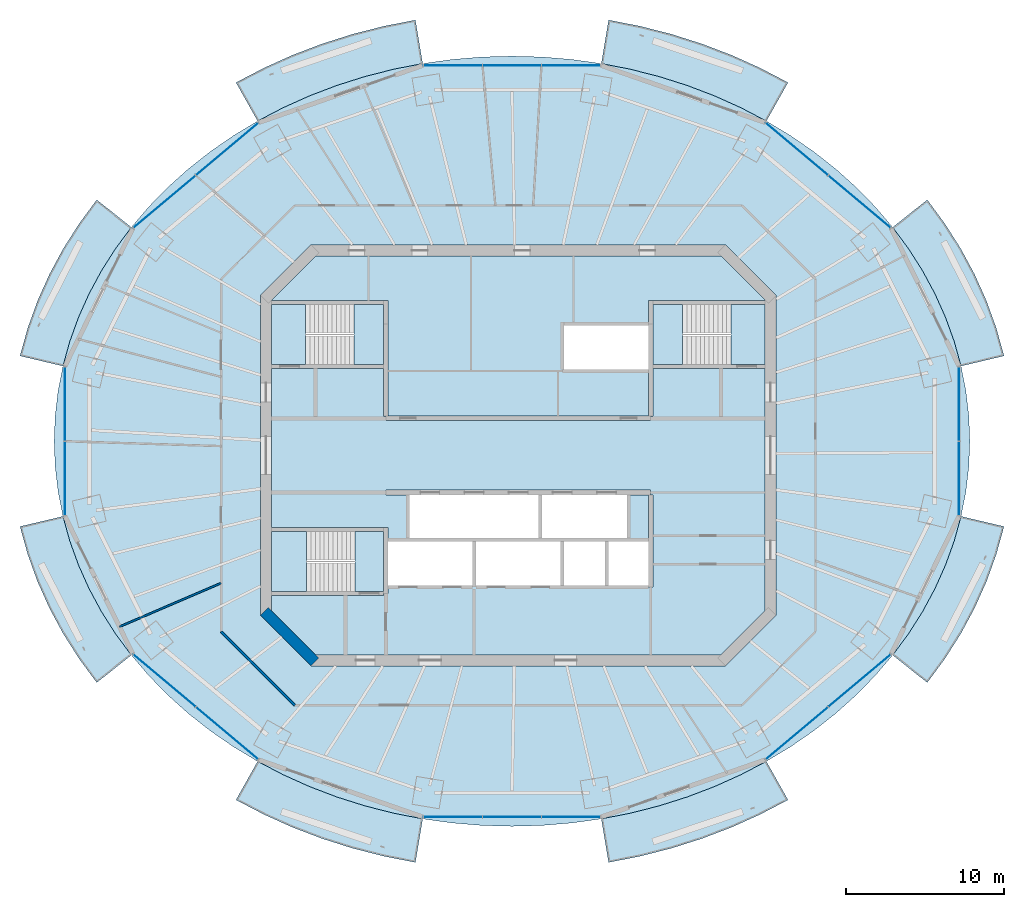
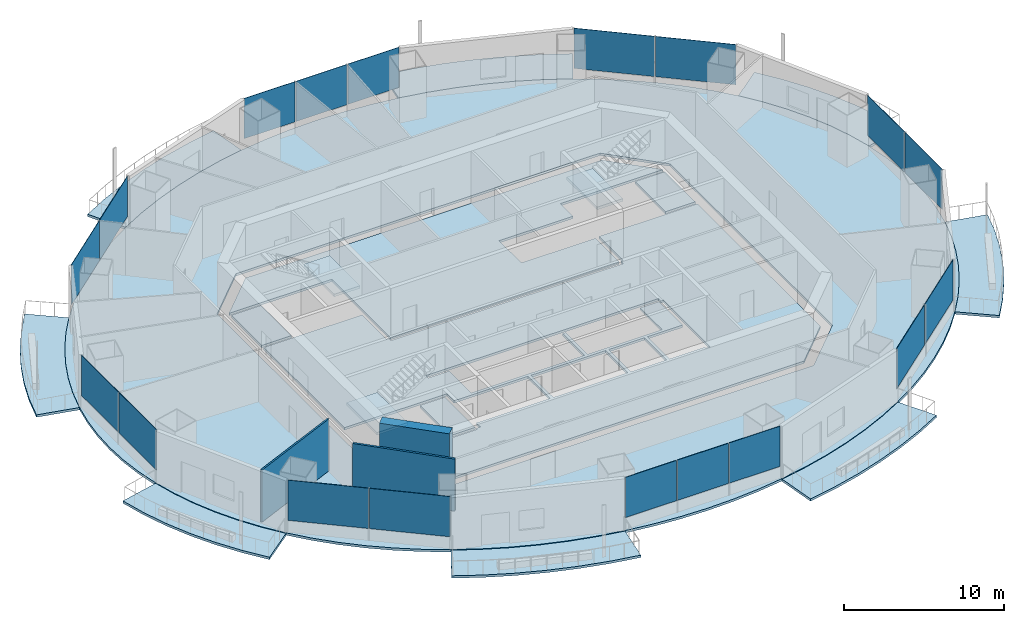
# One storey, part 7 of 16: 18 plates, 17 slabs, 3 walls, 11 elements without a shape of their own.
"""IFC4 building model written with IfcOpenShell, lengths in metres."""

from ifc_helpers import new_model, si_unit, direction, frame, frame_2d, origin, origin_2d, place, context, subcontext, project, spatial, polyline, rectangle, outline, extrude, material, layer, layer_set, type_object, element, aggregate, save


model = new_model("IFC4")

# Units and contexts
model_context = context("Model", 3, precision=1e-05, world=origin(), true_north=direction((0.0, 1.0)))
body_context = subcontext(model_context, "Body", "Model", "MODEL_VIEW")
ifc_project = project(units=[si_unit("LENGTHUNIT", "METRE"), si_unit("AREAUNIT", "SQUARE_METRE"), si_unit("VOLUMEUNIT", "CUBIC_METRE"), si_unit("PLANEANGLEUNIT", "RADIAN"), si_unit("MASSUNIT", "GRAM", prefix="KILO")], contexts=[model_context])

# Site, building, storey
site_placement = place(None, origin())
site = spatial("IfcSite", under=ifc_project, at=site_placement, CompositionType="ELEMENT")
building_placement = place(site_placement, origin())
building = spatial("IfcBuilding", under=site, at=building_placement, Name="Marenthal Gate Tower", CompositionType="ELEMENT")
storey_placement = place(building_placement, frame((0.0, 0.0, 288.64990234375)))
storey = spatial("IfcBuildingStorey", under=building, at=storey_placement, Name="L64", CompositionType="ELEMENT", Elevation=288.64990234375)

# Slabs
ifc_material_1 = material(Name="Concrete 40 MPa", Category="concrete")
ifc_layer_1 = layer(ifc_material_1, 0.179931640625)
ifc_layer_set_1 = layer_set([ifc_layer_1], Name="Balcony deck 180")
slab_type_1 = type_object("IfcSlabType", Name="Balcony deck 180", PredefinedType="USERDEFINED", material=ifc_layer_set_1)
slab_1_placement = place(storey_placement, frame((0.0, 0.0, -0.219970703125)))
element("IfcSlab", 1, at=slab_1_placement, inside=storey, type_object=slab_type_1, Name="Balcony deck L64 bay 1", ObjectType="BALCONY", PredefinedType="USERDEFINED", context=body_context, shape_type="SweptSolid", body=[
    extrude(outline(polyline([(28.080078125, 5.664794921875), (27.648681640625, 7.22119140625), (27.096923828125, 8.75048828125), (26.427490234375, 10.246337890625), (25.643310546875, 11.701904296875), (24.74755859375, 13.111572265625), (23.744140625, 14.46875), (25.9365234375, 16.21044921875), (27.05615234375, 14.696044921875), (28.058837890625, 13.1181640625), (28.939453125, 11.4833984375), (29.693603515625, 9.79833984375), (30.31640625, 8.071044921875), (30.804931640625, 6.30908203125), (28.080078125, 5.664794921875)])), origin(), (0.0, 0.0, 1.0), 0.18017578125),
])
slab_2_placement = place(storey_placement, frame((0.0, 0.0, -0.219970703125)))
element("IfcSlab", 2, at=slab_2_placement, inside=storey, type_object=slab_type_1, Name="Balcony deck L64 bay 3", ObjectType="BALCONY", PredefinedType="USERDEFINED", context=body_context, shape_type="SweptSolid", body=[
    extrude(outline(polyline([(15.732666015625, 21.20703125), (14.118896484375, 22.05078125), (12.443115234375, 22.80419921875), (10.71240234375, 23.4638671875), (8.93408203125, 24.02685546875), (7.115478515625, 24.49072265625), (5.264892578125, 24.853759765625), (5.72705078125, 27.615234375), (7.731201171875, 27.222412109375), (9.70263671875, 26.71923828125), (11.633544921875, 26.108154296875), (13.515869140625, 25.390625), (15.342041015625, 24.569580078125), (17.1044921875, 23.64794921875), (15.732666015625, 21.20703125)])), origin(), (0.0, 0.0, 1.0), 0.18017578125),
])
slab_3_placement = place(storey_placement, frame((0.0, 0.0, -0.219970703125)))
element("IfcSlab", 3, at=slab_3_placement, inside=storey, type_object=slab_type_1, Name="Balcony deck L64 bay 5", ObjectType="BALCONY", PredefinedType="USERDEFINED", context=body_context, shape_type="SweptSolid", body=[
    extrude(outline(polyline([(-6.06494140625, 24.853759765625), (-7.91552734375, 24.49072265625), (-9.73388671875, 24.02685546875), (-11.512451171875, 23.4638671875), (-13.2431640625, 22.80419921875), (-14.9189453125, 22.05078125), (-16.53271484375, 21.20703125), (-17.904296875, 23.64794921875), (-16.14208984375, 24.569580078125), (-14.31591796875, 25.390625), (-12.43359375, 26.108154296875), (-10.502685546875, 26.71923828125), (-8.53125, 27.222412109375), (-6.527099609375, 27.615234375), (-6.06494140625, 24.853759765625)])), origin(), (0.0, 0.0, 1.0), 0.18017578125),
])
slab_4_placement = place(storey_placement, frame((0.0, 0.0, -0.219970703125)))
element("IfcSlab", 4, at=slab_4_placement, inside=storey, type_object=slab_type_1, Name="Balcony deck L64 bay 7", ObjectType="BALCONY", PredefinedType="USERDEFINED", context=body_context, shape_type="SweptSolid", body=[
    extrude(outline(polyline([(-24.544189453125, 14.46875), (-25.547607421875, 13.111572265625), (-26.443359375, 11.701904296875), (-27.2275390625, 10.246337890625), (-27.89697265625, 8.75048828125), (-28.448486328125, 7.22119140625), (-28.8798828125, 5.664794921875), (-31.604736328125, 6.30908203125), (-31.116455078125, 8.071044921875), (-30.493408203125, 9.79833984375), (-29.739501953125, 11.4833984375), (-28.85888671875, 13.1181640625), (-27.85595703125, 14.696044921875), (-26.736572265625, 16.21044921875), (-24.544189453125, 14.46875)])), origin(), (0.0, 0.0, 1.0), 0.18017578125),
])
slab_5_placement = place(storey_placement, frame((0.0, 0.0, -0.219970703125)))
element("IfcSlab", 5, at=slab_5_placement, inside=storey, type_object=slab_type_1, Name="Balcony deck L64 bay 9", ObjectType="BALCONY", PredefinedType="USERDEFINED", context=body_context, shape_type="SweptSolid", body=[
    extrude(outline(polyline([(-28.8798828125, -3.86474609375), (-28.448486328125, -5.421142578125), (-27.89697265625, -6.950439453125), (-27.2275390625, -8.4462890625), (-26.443359375, -9.902099609375), (-25.547607421875, -11.3115234375), (-24.544189453125, -12.668701171875), (-26.736572265625, -14.410400390625), (-27.85595703125, -12.896240234375), (-28.85888671875, -11.318115234375), (-29.739501953125, -9.683349609375), (-30.493408203125, -7.99853515625), (-31.116455078125, -6.27099609375), (-31.604736328125, -4.509033203125), (-28.8798828125, -3.86474609375)])), origin(), (0.0, 0.0, 1.0), 0.18017578125),
])
slab_6_placement = place(storey_placement, frame((0.0, 0.0, -0.219970703125)))
element("IfcSlab", 6, at=slab_6_placement, inside=storey, type_object=slab_type_1, Name="Balcony deck L64 bay 11", ObjectType="BALCONY", PredefinedType="USERDEFINED", context=body_context, shape_type="SweptSolid", body=[
    extrude(outline(polyline([(-16.53271484375, -19.406982421875), (-14.9189453125, -20.2509765625), (-13.2431640625, -21.00439453125), (-11.512451171875, -21.663818359375), (-9.73388671875, -22.226806640625), (-7.91552734375, -22.69091796875), (-6.06494140625, -23.0537109375), (-6.527099609375, -25.8154296875), (-8.53125, -25.42236328125), (-10.502685546875, -24.91943359375), (-12.43359375, -24.30810546875), (-14.31591796875, -23.590576171875), (-16.14208984375, -22.76953125), (-17.904296875, -21.847900390625), (-16.53271484375, -19.406982421875)])), origin(), (0.0, 0.0, 1.0), 0.18017578125),
])
slab_7_placement = place(storey_placement, frame((0.0, 0.0, -0.219970703125)))
element("IfcSlab", 7, at=slab_7_placement, inside=storey, type_object=slab_type_1, Name="Balcony deck L64 bay 13", ObjectType="BALCONY", PredefinedType="USERDEFINED", context=body_context, shape_type="SweptSolid", body=[
    extrude(outline(polyline([(5.264892578125, -23.0537109375), (7.115478515625, -22.69091796875), (8.93408203125, -22.226806640625), (10.71240234375, -21.663818359375), (12.443115234375, -21.00439453125), (14.118896484375, -20.2509765625), (15.732666015625, -19.406982421875), (17.1044921875, -21.847900390625), (15.342041015625, -22.76953125), (13.515869140625, -23.590576171875), (11.633544921875, -24.30810546875), (9.70263671875, -24.91943359375), (7.731201171875, -25.42236328125), (5.72705078125, -25.8154296875), (5.264892578125, -23.0537109375)])), origin(), (0.0, 0.0, 1.0), 0.18017578125),
])
slab_8_placement = place(storey_placement, frame((0.0, 0.0, -0.219970703125)))
element("IfcSlab", 8, at=slab_8_placement, inside=storey, type_object=slab_type_1, Name="Balcony deck L64 bay 15", ObjectType="BALCONY", PredefinedType="USERDEFINED", context=body_context, shape_type="SweptSolid", body=[
    extrude(outline(polyline([(23.744140625, -12.668701171875), (24.74755859375, -11.3115234375), (25.643310546875, -9.902099609375), (26.427490234375, -8.4462890625), (27.096923828125, -6.950439453125), (27.648681640625, -5.421142578125), (28.080078125, -3.86474609375), (30.804931640625, -4.509033203125), (30.31640625, -6.27099609375), (29.693603515625, -7.99853515625), (28.939453125, -9.683349609375), (28.058837890625, -11.318115234375), (27.05615234375, -12.896240234375), (25.9365234375, -14.410400390625), (23.744140625, -12.668701171875)])), origin(), (0.0, 0.0, 1.0), 0.18017578125),
])
ifc_material_2 = material(Name="Concrete 50 MPa", Category="concrete")
ifc_layer_2 = layer(ifc_material_2, 0.179931640625)
ifc_layer_set_2 = layer_set([ifc_layer_2], Name="Core floor slab 180")
slab_type_2 = type_object("IfcSlabType", Name="Core floor slab 180", PredefinedType="FLOOR", material=ifc_layer_set_2)
slab_9_placement = place(storey_placement, frame((0.0, 0.0, -0.179931640625)))
element("IfcSlab", 9, at=slab_9_placement, inside=storey, type_object=slab_type_2, Name="Core floor L64", PredefinedType="FLOOR", context=body_context, shape_type="SweptSolid", body=[
    extrude(outline(polyline([(12.85498046875, -12.64990234375), (-12.85498046875, -12.64990234375), (-15.64990234375, -9.85498046875), (-15.64990234375, -8.875), (-8.550048828125, -8.875), (-8.550048828125, -8.75), (-8.25, -8.75), (-8.25, -8.239990234375), (-5.60009765625, -8.239990234375), (-2.909912109375, -8.239990234375), (-2.909912109375, -5.4599609375), (-5.60009765625, -5.4599609375), (-8.25, -5.4599609375), (-8.25, -4.574951171875), (-8.550048828125, -4.574951171875), (-15.64990234375, -4.574951171875), (-15.64990234375, 5.52490234375), (-8.550048828125, 5.52490234375), (-8.550048828125, 2.5), (-8.39990234375, 2.5), (-8.39990234375, 2.199951171875), (8.39990234375, 2.199951171875), (8.39990234375, 2.5), (8.550048828125, 2.5), (8.550048828125, 5.52490234375), (15.64990234375, 5.52490234375), (15.64990234375, -9.85498046875), (12.85498046875, -12.64990234375)]), holes=[polyline([(0.0, -8.239990234375), (2.68994140625, -8.239990234375), (2.68994140625, -5.4599609375), (0.0, -5.4599609375), (-2.68994140625, -5.4599609375), (-2.68994140625, -8.239990234375), (0.0, -8.239990234375)]), polyline([(1.2900390625, -5.239990234375), (1.2900390625, -2.5), (1.510009765625, -2.5), (1.510009765625, -5.239990234375), (4.199951171875, -5.239990234375), (6.889892578125, -5.239990234375), (6.889892578125, -2.5), (8.25, -2.5), (8.25, -5.4599609375), (5.7099609375, -5.4599609375), (5.7099609375, -8.239990234375), (8.25, -8.239990234375), (8.25, -8.35009765625), (8.550048828125, -8.35009765625), (8.550048828125, -2.5), (8.39990234375, -2.5), (8.39990234375, -2.199951171875), (-8.39990234375, -2.199951171875), (-8.39990234375, -2.5), (-6.889892578125, -2.5), (-6.889892578125, -5.239990234375), (-4.199951171875, -5.239990234375), (-1.39990234375, -5.239990234375), (1.2900390625, -5.239990234375)]), polyline([(5.489990234375, -5.4599609375), (2.909912109375, -5.4599609375), (2.909912109375, -8.239990234375), (5.489990234375, -8.239990234375), (5.489990234375, -5.4599609375)])]), origin(), (0.0, 0.0, 1.0), 0.179931640625),
])
slab_10_placement = place(storey_placement, frame((0.0, 0.0, -0.179931640625)))
element("IfcSlab", 10, at=slab_10_placement, inside=storey, type_object=slab_type_2, Name="Core floor L64", PredefinedType="FLOOR", context=body_context, shape_type="SweptSolid", body=[
    extrude(outline(polyline([(15.64990234375, 5.77490234375), (13.5, 5.77490234375), (13.5, 9.574951171875), (15.64990234375, 9.574951171875), (15.64990234375, 5.77490234375)])), origin(), (0.0, 0.0, 1.0), 0.179931640625),
])
slab_11_placement = place(storey_placement, frame((0.0, 0.0, -0.179931640625)))
element("IfcSlab", 11, at=slab_11_placement, inside=storey, type_object=slab_type_2, Name="Core floor L64", PredefinedType="FLOOR", context=body_context, shape_type="SweptSolid", body=[
    extrude(outline(polyline([(15.64990234375, 9.824951171875), (8.550048828125, 9.824951171875), (8.25, 9.824951171875), (8.25, 8.35009765625), (8.25, 8.239990234375), (5.60009765625, 8.239990234375), (2.909912109375, 8.239990234375), (2.909912109375, 5.4599609375), (5.60009765625, 5.4599609375), (8.25, 5.4599609375), (8.25, 2.5), (-8.25, 2.5), (-8.25, 8.35009765625), (-8.25, 9.824951171875), (-8.550048828125, 9.824951171875), (-15.64990234375, 9.824951171875), (-15.64990234375, 9.85498046875), (-12.85498046875, 12.64990234375), (12.85498046875, 12.64990234375), (15.64990234375, 9.85498046875), (15.64990234375, 9.824951171875)])), origin(), (0.0, 0.0, 1.0), 0.179931640625),
])
slab_12_placement = place(storey_placement, frame((0.0, 0.0, -0.179931640625)))
element("IfcSlab", 12, at=slab_12_placement, inside=storey, type_object=slab_type_2, Name="Core floor L64", PredefinedType="FLOOR", context=body_context, shape_type="SweptSolid", body=[
    extrude(outline(polyline([(-15.64990234375, 9.574951171875), (-13.5, 9.574951171875), (-13.5, 5.77490234375), (-15.64990234375, 5.77490234375), (-15.64990234375, 9.574951171875)])), origin(), (0.0, 0.0, 1.0), 0.179931640625),
])
slab_13_placement = place(storey_placement, frame((0.0, 0.0, -0.179931640625)))
element("IfcSlab", 13, at=slab_13_placement, inside=storey, type_object=slab_type_2, Name="Core floor L64", PredefinedType="FLOOR", context=body_context, shape_type="SweptSolid", body=[
    extrude(outline(polyline([(-8.550048828125, -4.824951171875), (-8.550048828125, -8.625), (-10.35009765625, -8.625), (-10.35009765625, -4.824951171875), (-8.550048828125, -4.824951171875)])), origin(), (0.0, 0.0, 1.0), 0.179931640625),
])
ifc_material_3 = material(Name="Concrete 35 MPa", Category="concrete")
ifc_layer_3 = layer(ifc_material_3, 0.179931640625)
ifc_layer_set_3 = layer_set([ifc_layer_3], Name="Floor slab 180")
slab_type_3 = type_object("IfcSlabType", Name="Floor slab 180", PredefinedType="FLOOR", material=ifc_layer_set_3)
slab_14_placement = place(storey_placement, frame((0.0, 0.0, -0.179931640625)))
element("IfcSlab", 14, at=slab_14_placement, inside=storey, type_object=slab_type_3, Name="SL-L64-01", PredefinedType="FLOOR", context=body_context, shape_type="SweptSolid", body=[
    extrude(outline(polyline([(28.637939453125, 0.89990234375), (28.57568359375, 2.497314453125), (28.3896484375, 4.087890625), (28.080078125, 5.664794921875), (27.648681640625, 7.22119140625), (27.096923828125, 8.75048828125), (26.427490234375, 10.246337890625), (25.643310546875, 11.701904296875), (24.74755859375, 13.111572265625), (23.744140625, 14.46875), (22.637451171875, 15.767822265625), (21.431884765625, 17.003173828125), (20.133056640625, 18.169677734375), (18.74609375, 19.26220703125), (17.277099609375, 20.276123046875), (15.732666015625, 21.20703125), (14.118896484375, 22.05078125), (12.443115234375, 22.80419921875), (10.71240234375, 23.4638671875), (8.93408203125, 24.02685546875), (7.115478515625, 24.49072265625), (5.264892578125, 24.853759765625), (3.39013671875, 25.114013671875), (1.499267578125, 25.270751953125), (-0.39990234375, 25.322998046875), (-2.29931640625, 25.270751953125), (-4.190185546875, 25.114013671875), (-6.06494140625, 24.853759765625), (-7.91552734375, 24.49072265625), (-9.73388671875, 24.02685546875), (-11.512451171875, 23.4638671875), (-13.2431640625, 22.80419921875), (-14.9189453125, 22.05078125), (-16.53271484375, 21.20703125), (-18.0771484375, 20.276123046875), (-19.546142578125, 19.26220703125), (-20.93310546875, 18.169677734375), (-22.23193359375, 17.003173828125), (-23.4375, 15.767822265625), (-24.544189453125, 14.46875), (-25.547607421875, 13.111572265625), (-26.443359375, 11.701904296875), (-27.2275390625, 10.246337890625), (-27.89697265625, 8.75048828125), (-28.448486328125, 7.22119140625), (-28.8798828125, 5.664794921875), (-29.189697265625, 4.087890625), (-29.375732421875, 2.497314453125), (-29.43798828125, 0.89990234375), (-29.375732421875, -0.697265625), (-29.189697265625, -2.287841796875), (-28.8798828125, -3.86474609375), (-28.448486328125, -5.421142578125), (-27.89697265625, -6.950439453125), (-27.2275390625, -8.4462890625), (-26.443359375, -9.902099609375), (-25.547607421875, -11.3115234375), (-24.544189453125, -12.668701171875), (-23.4375, -13.9677734375), (-22.23193359375, -15.203125), (-20.93310546875, -16.36962890625), (-19.546142578125, -17.462158203125), (-18.0771484375, -18.47607421875), (-16.53271484375, -19.406982421875), (-14.9189453125, -20.2509765625), (-13.2431640625, -21.00439453125), (-11.512451171875, -21.663818359375), (-9.73388671875, -22.226806640625), (-7.91552734375, -22.69091796875), (-6.06494140625, -23.0537109375), (-4.190185546875, -23.314208984375), (-2.29931640625, -23.470703125), (-0.39990234375, -23.52294921875), (1.499267578125, -23.470703125), (3.39013671875, -23.314208984375), (5.264892578125, -23.0537109375), (7.115478515625, -22.69091796875), (8.93408203125, -22.226806640625), (10.71240234375, -21.663818359375), (12.443115234375, -21.00439453125), (14.118896484375, -20.2509765625), (15.732666015625, -19.406982421875), (17.277099609375, -18.47607421875), (18.74609375, -17.462158203125), (20.133056640625, -16.36962890625), (21.431884765625, -15.203125), (22.637451171875, -13.9677734375), (23.744140625, -12.668701171875), (24.74755859375, -11.3115234375), (25.643310546875, -9.902099609375), (26.427490234375, -8.4462890625), (27.096923828125, -6.950439453125), (27.648681640625, -5.421142578125), (28.080078125, -3.86474609375), (28.3896484375, -2.287841796875), (28.57568359375, -0.697265625), (28.637939453125, 0.89990234375)]), holes=[polyline([(13.14501953125, -13.35009765625), (16.35009765625, -10.14501953125), (16.35009765625, 10.14501953125), (13.14501953125, 13.35009765625), (-13.14501953125, 13.35009765625), (-16.35009765625, 10.14501953125), (-16.35009765625, -10.14501953125), (-13.14501953125, -13.35009765625), (13.14501953125, -13.35009765625)])]), origin(), (0.0, 0.0, 1.0), 0.179931640625),
])

# Curtain wall, plates
ifc_material_4 = material(Name="Aluminium and glass", Category="aluminium")
curtain_wall_type = type_object("IfcCurtainWallType", Name="Curtain wall typical high", PredefinedType="NOTDEFINED", material=ifc_material_4)
curtain_wall_1_placement = place(storey_placement, origin())
curtain_wall_1 = element("IfcCurtainWall", 15, at=curtain_wall_1_placement, inside=storey, type_object=curtain_wall_type, Name="Curtain wall L64 bay 2", PredefinedType="NOTDEFINED")
ifc_material_5 = material(Name="Glass, laminated insulating unit", Category="glass")
ifc_layer_4 = layer(ifc_material_5, 0.031982421875)
ifc_layer_set_4 = layer_set([ifc_layer_4], Name="Glass panel 32 typical high")
plate_type = type_object("IfcPlateType", Name="Glass panel 32 typical high", PredefinedType="CURTAIN_PANEL", material=ifc_layer_set_4)
plate_1_placement = place(storey_placement, frame((21.638427734375, 16.087890625, 0.89990234375), z_axis=(0.0, 0.0, 1.0), x_axis=(-0.76554681722, 0.643380191367, 0.0)))
plate_1 = element("IfcPlate", 16, at=plate_1_placement, type_object=plate_type, Name="Glass panel L64 bay 2.1", PredefinedType="CURTAIN_PANEL", context=body_context, shape_type="SweptSolid", body=[
    extrude(rectangle(XDim=5.120849609375, YDim=0.031982421875, at=origin_2d()), origin(), (0.0, 0.0, 1.0), 3.070068359375),
])
plate_2_placement = place(storey_placement, frame((17.672119140625, 19.421142578125, 0.89990234375), z_axis=(0.0, 0.0, 1.0), x_axis=(-0.76554681722, 0.643380191367, 0.0)))
plate_2 = element("IfcPlate", 17, at=plate_2_placement, type_object=plate_type, Name="Glass panel L64 bay 2.2", PredefinedType="CURTAIN_PANEL", context=body_context, shape_type="SweptSolid", body=[
    extrude(rectangle(XDim=5.120849609375, YDim=0.031982421875, at=origin_2d()), origin(), (0.0, 0.0, 1.0), 3.070068359375),
])
aggregate(curtain_wall_1, [plate_1, plate_2])

curtain_wall_2_placement = place(storey_placement, origin())
curtain_wall_2 = element("IfcCurtainWall", 18, at=curtain_wall_2_placement, inside=storey, type_object=curtain_wall_type, Name="Curtain wall L64 bay 4", PredefinedType="NOTDEFINED")
plate_3_placement = place(storey_placement, frame((3.341064453125, 24.736083984375, 0.89990234375), z_axis=(0.0, 0.0, 1.0), x_axis=(-1.0, 0.0, 0.0)))
plate_3 = element("IfcPlate", 19, at=plate_3_placement, type_object=plate_type, Name="Glass panel L64 bay 4.1", PredefinedType="CURTAIN_PANEL", context=body_context, shape_type="SweptSolid", body=[
    extrude(rectangle(XDim=3.68115234375, YDim=0.031982421875, at=origin_2d()), origin(), (0.0, 0.0, 1.0), 3.070068359375),
])
plate_4_placement = place(storey_placement, frame((-0.39990234375, 24.736083984375, 0.89990234375), z_axis=(0.0, 0.0, 1.0), x_axis=(-1.0, 0.0, 0.0)))
plate_4 = element("IfcPlate", 20, at=plate_4_placement, type_object=plate_type, Name="Glass panel L64 bay 4.2", PredefinedType="CURTAIN_PANEL", context=body_context, shape_type="SweptSolid", body=[
    extrude(rectangle(XDim=3.680908203125, YDim=0.031982421875, at=origin_2d()), origin(), (0.0, 0.0, 1.0), 3.070068359375),
])
plate_5_placement = place(storey_placement, frame((-4.14111328125, 24.736083984375, 0.89990234375), z_axis=(0.0, 0.0, 1.0), x_axis=(-1.0, 0.0, 0.0)))
plate_5 = element("IfcPlate", 21, at=plate_5_placement, type_object=plate_type, Name="Glass panel L64 bay 4.3", PredefinedType="CURTAIN_PANEL", context=body_context, shape_type="SweptSolid", body=[
    extrude(rectangle(XDim=3.68115234375, YDim=0.031982421875, at=origin_2d()), origin(), (0.0, 0.0, 1.0), 3.070068359375),
])
aggregate(curtain_wall_2, [plate_3, plate_4, plate_5])

curtain_wall_3_placement = place(storey_placement, origin())
curtain_wall_3 = element("IfcCurtainWall", 22, at=curtain_wall_3_placement, inside=storey, type_object=curtain_wall_type, Name="Curtain wall L64 bay 6", PredefinedType="NOTDEFINED")
plate_6_placement = place(storey_placement, frame((-18.47216796875, 19.421142578125, 0.89990234375), z_axis=(0.0, 0.0, 1.0), x_axis=(-0.76554681722, -0.643380191367, 0.0)))
plate_6 = element("IfcPlate", 23, at=plate_6_placement, type_object=plate_type, Name="Glass panel L64 bay 6.1", PredefinedType="CURTAIN_PANEL", context=body_context, shape_type="SweptSolid", body=[
    extrude(rectangle(XDim=5.120849609375, YDim=0.031982421875, at=origin_2d()), origin(), (0.0, 0.0, 1.0), 3.070068359375),
])
plate_7_placement = place(storey_placement, frame((-22.438232421875, 16.087890625, 0.89990234375), z_axis=(0.0, 0.0, 1.0), x_axis=(-0.76554681722, -0.643380191367, 0.0)))
plate_7 = element("IfcPlate", 24, at=plate_7_placement, type_object=plate_type, Name="Glass panel L64 bay 6.2", PredefinedType="CURTAIN_PANEL", context=body_context, shape_type="SweptSolid", body=[
    extrude(rectangle(XDim=5.120849609375, YDim=0.031982421875, at=origin_2d()), origin(), (0.0, 0.0, 1.0), 3.070068359375),
])
aggregate(curtain_wall_3, [plate_6, plate_7])

curtain_wall_4_placement = place(storey_placement, origin())
curtain_wall_4 = element("IfcCurtainWall", 25, at=curtain_wall_4_placement, inside=storey, type_object=curtain_wall_type, Name="Curtain wall L64 bay 8", PredefinedType="NOTDEFINED")
plate_8_placement = place(storey_placement, frame((-28.76220703125, 3.255615234375, 0.89990234375), z_axis=(0.0, 0.0, 1.0), x_axis=(0.0, -1.0, 0.0)))
plate_8 = element("IfcPlate", 26, at=plate_8_placement, type_object=plate_type, Name="Glass panel L64 bay 8.1", PredefinedType="CURTAIN_PANEL", context=body_context, shape_type="SweptSolid", body=[
    extrude(rectangle(XDim=4.6513671875, YDim=0.031982421875, at=origin_2d()), origin(), (0.0, 0.0, 1.0), 3.070068359375),
])
plate_9_placement = place(storey_placement, frame((-28.76220703125, -1.45556640625, 0.89990234375), z_axis=(0.0, 0.0, 1.0), x_axis=(0.0, -1.0, 0.0)))
plate_9 = element("IfcPlate", 27, at=plate_9_placement, type_object=plate_type, Name="Glass panel L64 bay 8.2", PredefinedType="CURTAIN_PANEL", context=body_context, shape_type="SweptSolid", body=[
    extrude(rectangle(XDim=4.6513671875, YDim=0.031982421875, at=origin_2d()), origin(), (0.0, 0.0, 1.0), 3.070068359375),
])
aggregate(curtain_wall_4, [plate_8, plate_9])

curtain_wall_5_placement = place(storey_placement, origin())
curtain_wall_5 = element("IfcCurtainWall", 28, at=curtain_wall_5_placement, inside=storey, type_object=curtain_wall_type, Name="Curtain wall L64 bay 10", PredefinedType="NOTDEFINED")
plate_10_placement = place(storey_placement, frame((-22.438232421875, -14.287841796875, 0.89990234375), z_axis=(0.0, 0.0, 1.0), x_axis=(0.76554681722, -0.643380191367, 0.0)))
plate_10 = element("IfcPlate", 29, at=plate_10_placement, type_object=plate_type, Name="Glass panel L64 bay 10.1", PredefinedType="CURTAIN_PANEL", context=body_context, shape_type="SweptSolid", body=[
    extrude(rectangle(XDim=5.120849609375, YDim=0.031982421875, at=origin_2d()), origin(), (0.0, 0.0, 1.0), 3.070068359375),
])
plate_11_placement = place(storey_placement, frame((-18.47216796875, -17.621337890625, 0.89990234375), z_axis=(0.0, 0.0, 1.0), x_axis=(0.76554681722, -0.643380191367, 0.0)))
plate_11 = element("IfcPlate", 30, at=plate_11_placement, type_object=plate_type, Name="Glass panel L64 bay 10.2", PredefinedType="CURTAIN_PANEL", context=body_context, shape_type="SweptSolid", body=[
    extrude(rectangle(XDim=5.120849609375, YDim=0.031982421875, at=origin_2d()), origin(), (0.0, 0.0, 1.0), 3.070068359375),
])
aggregate(curtain_wall_5, [plate_10, plate_11])

curtain_wall_6_placement = place(storey_placement, origin())
curtain_wall_6 = element("IfcCurtainWall", 31, at=curtain_wall_6_placement, inside=storey, type_object=curtain_wall_type, Name="Curtain wall L64 bay 12", PredefinedType="NOTDEFINED")
plate_12_placement = place(storey_placement, frame((-4.14111328125, -22.93603515625, 0.89990234375), z_axis=(0.0, 0.0, 1.0), x_axis=(1.0, 0.0, 0.0)))
plate_12 = element("IfcPlate", 32, at=plate_12_placement, type_object=plate_type, Name="Glass panel L64 bay 12.1", PredefinedType="CURTAIN_PANEL", context=body_context, shape_type="SweptSolid", body=[
    extrude(rectangle(XDim=3.68115234375, YDim=0.031982421875, at=origin_2d()), origin(), (0.0, 0.0, 1.0), 3.070068359375),
])
plate_13_placement = place(storey_placement, frame((-0.39990234375, -22.93603515625, 0.89990234375), z_axis=(0.0, 0.0, 1.0), x_axis=(1.0, 0.0, 0.0)))
plate_13 = element("IfcPlate", 33, at=plate_13_placement, type_object=plate_type, Name="Glass panel L64 bay 12.2", PredefinedType="CURTAIN_PANEL", context=body_context, shape_type="SweptSolid", body=[
    extrude(rectangle(XDim=3.680908203125, YDim=0.031982421875, at=origin_2d()), origin(), (0.0, 0.0, 1.0), 3.070068359375),
])
plate_14_placement = place(storey_placement, frame((3.341064453125, -22.93603515625, 0.89990234375), z_axis=(0.0, 0.0, 1.0), x_axis=(1.0, 0.0, 0.0)))
plate_14 = element("IfcPlate", 34, at=plate_14_placement, type_object=plate_type, Name="Glass panel L64 bay 12.3", PredefinedType="CURTAIN_PANEL", context=body_context, shape_type="SweptSolid", body=[
    extrude(rectangle(XDim=3.68115234375, YDim=0.031982421875, at=origin_2d()), origin(), (0.0, 0.0, 1.0), 3.070068359375),
])
aggregate(curtain_wall_6, [plate_12, plate_13, plate_14])

curtain_wall_7_placement = place(storey_placement, origin())
curtain_wall_7 = element("IfcCurtainWall", 35, at=curtain_wall_7_placement, inside=storey, type_object=curtain_wall_type, Name="Curtain wall L64 bay 14", PredefinedType="NOTDEFINED")
plate_15_placement = place(storey_placement, frame((17.672119140625, -17.621337890625, 0.89990234375), z_axis=(0.0, 0.0, 1.0), x_axis=(0.76554681722, 0.643380191367, 0.0)))
plate_15 = element("IfcPlate", 36, at=plate_15_placement, type_object=plate_type, Name="Glass panel L64 bay 14.1", PredefinedType="CURTAIN_PANEL", context=body_context, shape_type="SweptSolid", body=[
    extrude(rectangle(XDim=5.120849609375, YDim=0.031982421875, at=origin_2d()), origin(), (0.0, 0.0, 1.0), 3.070068359375),
])
plate_16_placement = place(storey_placement, frame((21.63818359375, -14.2880859375, 0.89990234375), z_axis=(0.0, 0.0, 1.0), x_axis=(0.76554681722, 0.643380191367, 0.0)))
plate_16 = element("IfcPlate", 37, at=plate_16_placement, type_object=plate_type, Name="Glass panel L64 bay 14.2", PredefinedType="CURTAIN_PANEL", context=body_context, shape_type="SweptSolid", body=[
    extrude(rectangle(XDim=5.120849609375, YDim=0.031982421875, at=origin_2d()), origin(), (0.0, 0.0, 1.0), 3.070068359375),
])
aggregate(curtain_wall_7, [plate_15, plate_16])

curtain_wall_8_placement = place(storey_placement, origin())
curtain_wall_8 = element("IfcCurtainWall", 38, at=curtain_wall_8_placement, inside=storey, type_object=curtain_wall_type, Name="Curtain wall L64 bay 16", PredefinedType="NOTDEFINED")
plate_17_placement = place(storey_placement, frame((27.96240234375, -1.45556640625, 0.89990234375), z_axis=(0.0, 0.0, 1.0), x_axis=(0.0, 1.0, 0.0)))
plate_17 = element("IfcPlate", 39, at=plate_17_placement, type_object=plate_type, Name="Glass panel L64 bay 16.1", PredefinedType="CURTAIN_PANEL", context=body_context, shape_type="SweptSolid", body=[
    extrude(rectangle(XDim=4.6513671875, YDim=0.031982421875, at=origin_2d()), origin(), (0.0, 0.0, 1.0), 3.070068359375),
])
plate_18_placement = place(storey_placement, frame((27.96240234375, 3.255615234375, 0.89990234375), z_axis=(0.0, 0.0, 1.0), x_axis=(0.0, 1.0, 0.0)))
plate_18 = element("IfcPlate", 40, at=plate_18_placement, type_object=plate_type, Name="Glass panel L64 bay 16.2", PredefinedType="CURTAIN_PANEL", context=body_context, shape_type="SweptSolid", body=[
    extrude(rectangle(XDim=4.6513671875, YDim=0.031982421875, at=origin_2d()), origin(), (0.0, 0.0, 1.0), 3.070068359375),
])
aggregate(curtain_wall_8, [plate_17, plate_18])

# Stair, slab
ifc_material_6 = material(Name="Concrete 40 MPa", Category="concrete")
stair_type = type_object("IfcStairType", Name="Exit stair 1800", PredefinedType="HALF_TURN_STAIR", material=ifc_material_6)
stair_1_placement = place(storey_placement, origin())
stair_1 = element("IfcStair", 41, at=stair_1_placement, inside=storey, type_object=stair_type, Name="Stair ST1", PredefinedType="HALF_TURN_STAIR")
ifc_material_7 = material(Name="Concrete 40 MPa", Category="concrete")
ifc_layer_5 = layer(ifc_material_7, 0.199951171875)
ifc_layer_set_5 = layer_set([ifc_layer_5], Name="Stair landing 200")
slab_type_4 = type_object("IfcSlabType", Name="Stair landing 200", PredefinedType="LANDING", material=ifc_layer_set_5)
slab_15_placement = place(storey_placement, frame((0.0, 0.0, 1.875)))
slab_15 = element("IfcSlab", 42, at=slab_15_placement, type_object=slab_type_4, Name="ST1 landing 1", PredefinedType="LANDING", context=body_context, shape_type="SweptSolid", body=[
    extrude(outline(polyline([(-10.419921875, 5.77490234375), (-8.550048828125, 5.77490234375), (-8.550048828125, 9.574951171875), (-10.419921875, 9.574951171875), (-10.419921875, 5.77490234375)])), origin(), (0.0, 0.0, 1.0), 0.2001953125),
])
aggregate(stair_1, [slab_15])

stair_2_placement = place(storey_placement, origin())
stair_2 = element("IfcStair", 43, at=stair_2_placement, inside=storey, type_object=stair_type, Name="Stair ST2", PredefinedType="HALF_TURN_STAIR")
slab_16_placement = place(storey_placement, frame((0.0, 0.0, 1.875)))
slab_16 = element("IfcSlab", 44, at=slab_16_placement, type_object=slab_type_4, Name="ST2 landing 1", PredefinedType="LANDING", context=body_context, shape_type="SweptSolid", body=[
    extrude(outline(polyline([(-15.64990234375, -8.625), (-13.429931640625, -8.625), (-13.429931640625, -4.824951171875), (-15.64990234375, -4.824951171875), (-15.64990234375, -8.625)])), origin(), (0.0, 0.0, 1.0), 0.2001953125),
])
aggregate(stair_2, [slab_16])

stair_3_placement = place(storey_placement, origin())
stair_3 = element("IfcStair", 45, at=stair_3_placement, inside=storey, type_object=stair_type, Name="Stair ST3", PredefinedType="HALF_TURN_STAIR")
slab_17_placement = place(storey_placement, frame((0.0, 0.0, 1.875)))
slab_17 = element("IfcSlab", 46, at=slab_17_placement, type_object=slab_type_4, Name="ST3 landing 1", PredefinedType="LANDING", context=body_context, shape_type="SweptSolid", body=[
    extrude(outline(polyline([(8.550048828125, 5.77490234375), (10.419921875, 5.77490234375), (10.419921875, 9.574951171875), (8.550048828125, 9.574951171875), (8.550048828125, 5.77490234375)])), origin(), (0.0, 0.0, 1.0), 0.2001953125),
])
aggregate(stair_3, [slab_17])

# Walls
ifc_material_8 = material(Name="Concrete 60 MPa", Category="concrete")
ifc_layer_6 = layer(ifc_material_8, 0.699951171875)
ifc_layer_set_6 = layer_set([ifc_layer_6], Name="Core shear wall 700")
wall_type_1 = type_object("IfcWallType", Name="Core shear wall 700", PredefinedType="SHEAR", material=ifc_layer_set_6)
wall_1_placement = place(storey_placement, frame((-16.1025390625, -9.8974609375, -0.179931640625), z_axis=(0.0, 0.0, 1.0), x_axis=(0.707106781187, -0.707106781187, 0.0)))
element("IfcWall", 47, at=wall_1_placement, inside=storey, type_object=wall_type_1, Name="Core wall 07", PredefinedType="SHEAR", context=body_context, shape_type="SweptSolid", body=[
    extrude(rectangle(XDim=4.53271484375, YDim=0.699951171875, at=frame_2d((2.266357421875, 0.0))), origin(), (0.0, 0.0, 1.0), 4.150146484375),
])
ifc_material_9 = material(Name="Gypsum board on steel studs", Category="steel")
ifc_layer_7 = layer(ifc_material_9, 0.1201171875)
ifc_layer_set_7 = layer_set([ifc_layer_7], Name="Partition 120")
wall_type_2 = type_object("IfcWallType", Name="Partition 120", PredefinedType="PARTITIONING", material=ifc_layer_set_7)
wall_2_placement = place(storey_placement, frame((-18.85009765625, -8.097412109375, 0.0), z_axis=(0.0, 0.0, 1.0), x_axis=(-0.918819078181, -0.394678985468, 0.0)))
element("IfcWall", 48, at=wall_2_placement, inside=storey, type_object=wall_type_2, Name="Partition wall 53", PredefinedType="PARTITIONING", context=body_context, shape_type="SweptSolid", body=[
    extrude(rectangle(XDim=7.01904296875, YDim=0.1201171875, at=frame_2d((3.509521484375, 0.0))), origin(), (0.0, 0.0, 1.0), 3.97021484375),
])
ifc_material_10 = material(Name="Gypsum board on steel studs", Category="steel")
ifc_layer_8 = layer(ifc_material_10, 0.14990234375)
ifc_layer_set_8 = layer_set([ifc_layer_8], Name="Partition 150")
wall_type_3 = type_object("IfcWallType", Name="Partition 150", PredefinedType="PARTITIONING", material=ifc_layer_set_8)
wall_3_placement = place(storey_placement, frame((-14.180419921875, -15.85009765625, 0.0), z_axis=(0.0, 0.0, 1.0), x_axis=(-0.707106781187, 0.707106781187, 0.0)))
element("IfcWall", 49, at=wall_3_placement, inside=storey, type_object=wall_type_3, Name="Partition wall 59", PredefinedType="PARTITIONING", context=body_context, shape_type="SweptSolid", body=[
    extrude(rectangle(XDim=6.60400390625, YDim=0.14990234375, at=frame_2d((3.302001953125, 0.0))), origin(), (0.0, 0.0, 1.0), 3.97021484375),
])

save(model, "model.ifc")
